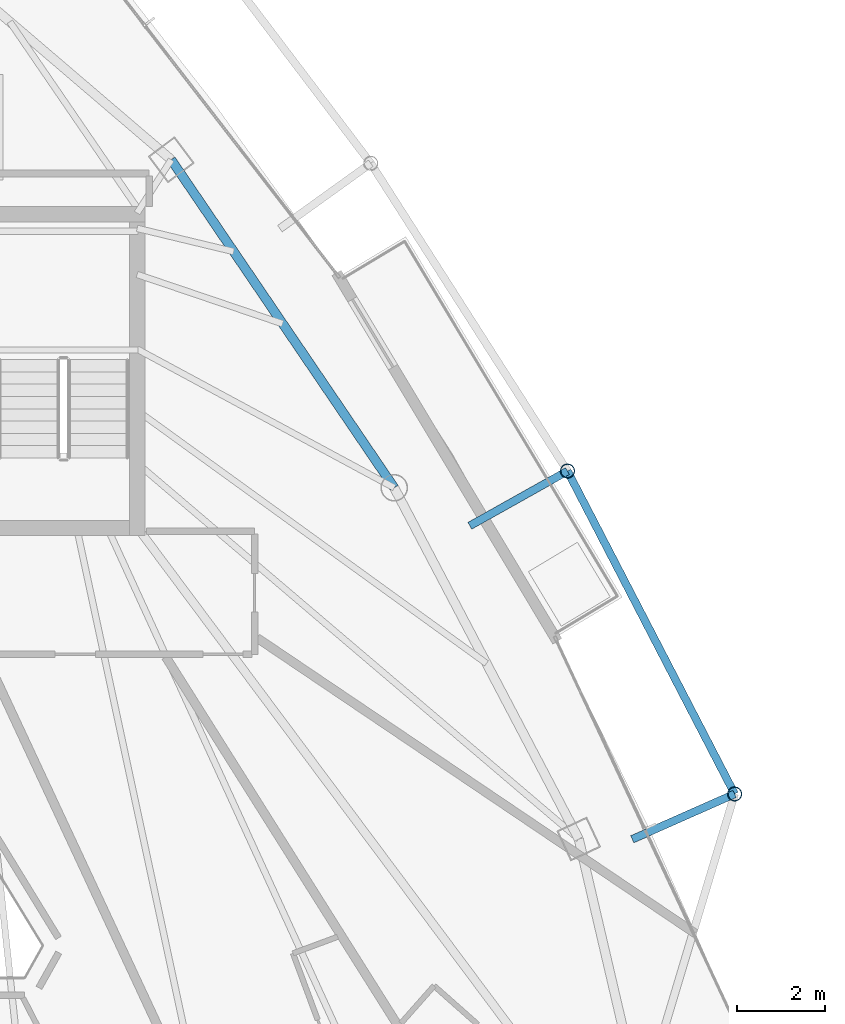
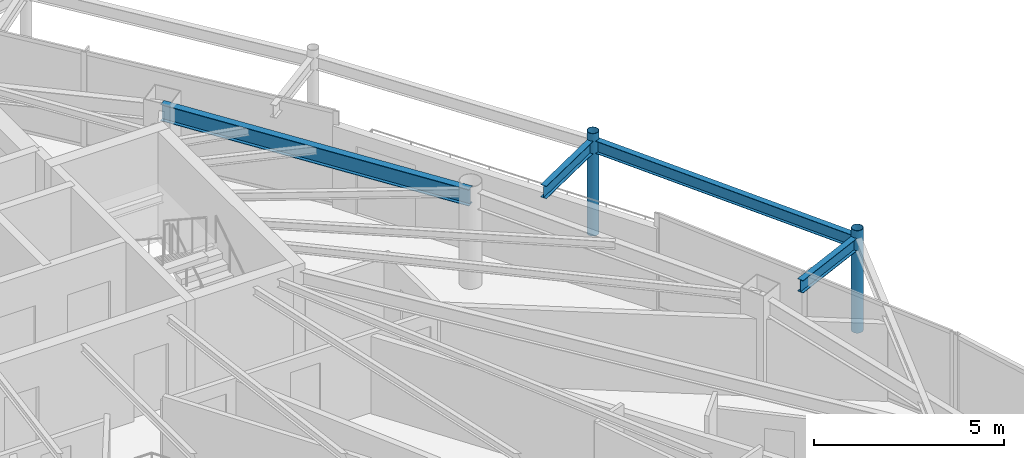
# One storey, part 18 of 29: 4 beams, 2 members.
"""IFC4 building model written with IfcOpenShell, lengths in metres."""

from ifc_helpers import new_model, si_unit, direction, frame, origin, origin_2d, place, context, subcontext, project, spatial, hollow_circle, i_section, extrude, material, material_profile, profile_set, type_object, element, save


model = new_model("IFC4")

# Units and contexts
model_context = context("Model", 3, precision=1e-05, world=origin(), true_north=direction((0.0, 1.0)))
body_context = subcontext(model_context, "Body", "Model", "MODEL_VIEW")
ifc_project = project(units=[si_unit("LENGTHUNIT", "METRE"), si_unit("AREAUNIT", "SQUARE_METRE"), si_unit("VOLUMEUNIT", "CUBIC_METRE"), si_unit("PLANEANGLEUNIT", "RADIAN"), si_unit("MASSUNIT", "GRAM", prefix="KILO")], contexts=[model_context])

# Site, building, storey
site_placement = place(None, origin())
site = spatial("IfcSite", under=ifc_project, at=site_placement, CompositionType="ELEMENT")
building_placement = place(site_placement, origin())
building = spatial("IfcBuilding", under=site, at=building_placement, Name="Orvanel Arch Residences", CompositionType="ELEMENT")
storey_placement = place(building_placement, frame((0.0, 0.0, 250.25)))
storey = spatial("IfcBuildingStorey", under=building, at=storey_placement, Name="L71", CompositionType="ELEMENT", Elevation=250.25)

# Beams
ifc_material_1 = material(Name="Structural steel AS/NZS 3679.1 Grade 300 (300 MPa)", Category="steel")
ifc_material_profile_1 = material_profile(ifc_material_1, i_section(OverallWidth=0.177978515625, OverallDepth=0.406005859375, WebThickness=0.0078125, FlangeThickness=0.0126953125, at=origin_2d()), Name="410UB59.7")
ifc_profile_set_1 = profile_set([ifc_material_profile_1], Name="Structural steel AS/NZS 3679.1 Grade 300 (300 MPa)")
beam_type_1 = type_object("IfcBeamType", Name="OB-410UB-EXT", PredefinedType="SPANDREL", material=ifc_profile_set_1)
beam_1_placement = place(storey_placement, frame((50.85205078125, 19.635986328125, 2.85693359375), z_axis=(0.914461766804, 0.404672308237, 0.0), x_axis=(-0.404672308237, 0.914461766804, 0.0)))
element("IfcBeam", 1, at=beam_1_placement, inside=storey, type_object=beam_type_1, Name="L71 Outer Frame Radial Tie Beam 09", PredefinedType="SPANDREL", context=body_context, shape_type="SweptSolid", body=[
    extrude(i_section(OverallWidth=0.177978515625, OverallDepth=0.406005859375, WebThickness=0.0078125, FlangeThickness=0.0126953125, at=origin_2d()), origin(), (0.0, 0.0, 1.0), 2.550048828125),
])
beam_2_placement = place(storey_placement, frame((53.18408203125, 20.66796875, 2.85693359375), z_axis=(-0.459692354951, 0.88807822786, 0.0), x_axis=(-0.88807822786, -0.459692354951, 0.0)))
element("IfcBeam", 2, at=beam_2_placement, inside=storey, type_object=beam_type_1, Name="L71 Outer Perimeter Floor Ring Beam 09", PredefinedType="SPANDREL", context=body_context, shape_type="SweptSolid", body=[
    extrude(i_section(OverallWidth=0.177978515625, OverallDepth=0.406005859375, WebThickness=0.0078125, FlangeThickness=0.0126953125, at=origin_2d()), origin(), (0.0, 0.0, 1.0), 8.281982421875),
])
beam_3_placement = place(storey_placement, frame((47.153076171875, 26.77587890625, 2.85693359375), z_axis=(0.872221755946, 0.489110630077, 0.0), x_axis=(-0.489110630077, 0.872221755946, 0.0)))
element("IfcBeam", 3, at=beam_3_placement, inside=storey, type_object=beam_type_1, Name="L71 Outer Frame Radial Tie Beam 10", PredefinedType="SPANDREL", context=body_context, shape_type="SweptSolid", body=[
    extrude(i_section(OverallWidth=0.177978515625, OverallDepth=0.406005859375, WebThickness=0.0078125, FlangeThickness=0.0126953125, at=origin_2d()), origin(), (0.0, 0.0, 1.0), 2.549560546875),
])
ifc_material_profile_2 = material_profile(ifc_material_1, i_section(OverallWidth=0.208984375, OverallDepth=0.532958984375, WebThickness=0.01025390625, FlangeThickness=0.015625, at=origin_2d()), Name="530UB92.4")
ifc_profile_set_2 = profile_set([ifc_material_profile_2], Name="Structural steel AS/NZS 3679.1 Grade 300 (300 MPa)")
beam_type_2 = type_object("IfcBeamType", Name="SP-530UB", PredefinedType="SPANDREL", material=ifc_profile_set_2)
beam_4_placement = place(storey_placement, frame((45.430908203125, 27.64111328125, 2.79296875), z_axis=(-0.562154793153, 0.827032035978, 0.0), x_axis=(-0.827032035978, -0.562154793153, 0.0)))
element("IfcBeam", 4, at=beam_4_placement, inside=storey, type_object=beam_type_2, Name="L71 Perimeter Spandrel Beam 08", PredefinedType="SPANDREL", context=body_context, shape_type="SweptSolid", body=[
    extrude(i_section(OverallWidth=0.208984375, OverallDepth=0.532958984375, WebThickness=0.01025390625, FlangeThickness=0.015625, at=origin_2d()), origin(), (0.0, 0.0, 1.0), 9.03466796875),
])

# Members
ifc_material_2 = material(Name="Structural steel AS/NZS 1163 C350L0 (Grade 350)", Category="steel")
ifc_material_profile_3 = material_profile(ifc_material_2, hollow_circle(Radius=0.162109375, WallThickness=0.0126953125, at=origin_2d()), Name="CHS324x12.7")
ifc_profile_set_3 = profile_set([ifc_material_profile_3], Name="Structural steel AS/NZS 1163 C350L0 (Grade 350)")
member_type = type_object("IfcMemberType", Name="ST-324CHS-EXT", PredefinedType="STRUT", material=ifc_profile_set_3)
for number, where, z_axis, x_axis, name in (
    (5, (53.18408203125, 20.66796875, 0.0), (0.0, 0.0, 1.0), (1.0, 0.0, 0.0), "L71 Outer Perimeter Frame Post 09"),
    (6, (49.376953125, 28.02294921875, 0.0), (0.0, 0.0, 1.0), (1.0, 0.0, 0.0), "L71 Outer Perimeter Frame Post 10"),
):
    element("IfcMember", number, at=place(storey_placement, frame(where, z_axis=z_axis, x_axis=x_axis)), inside=storey, type_object=member_type, Name=name, PredefinedType="STRUT", context=body_context, shape_type="SweptSolid", body=[
        extrude(hollow_circle(Radius=0.162109375, WallThickness=0.0126953125, at=origin_2d()), origin(), (0.0, 0.0, 1.0), 3.300048828125),
    ])

save(model, "model.ifc")
